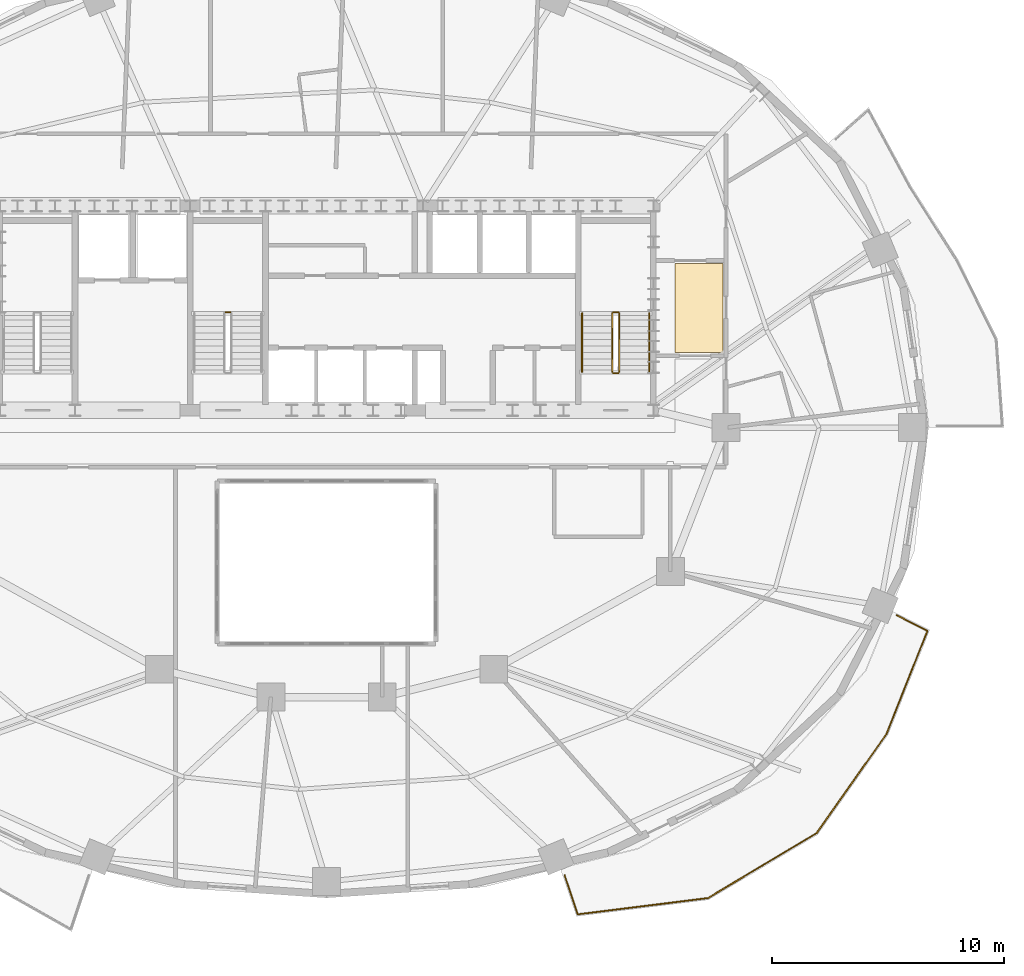
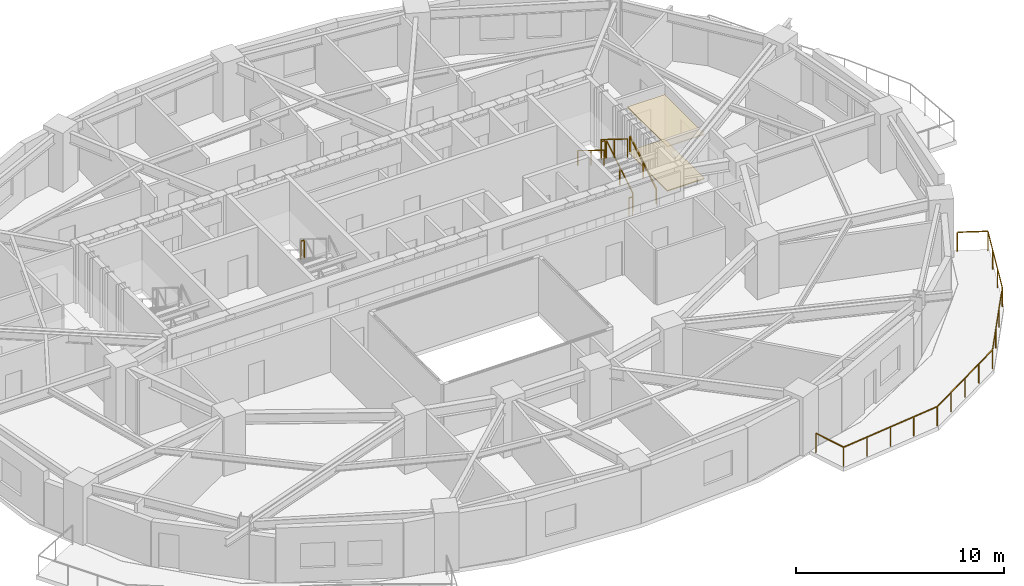
# One storey, part 12 of 13: 8 railings, 2 coverings.
"""IFC4 building model written with IfcOpenShell, lengths in metres."""

from ifc_helpers import new_model, si_unit, direction, frame, origin, origin_2d, place, context, subcontext, project, spatial, polyline, rectangle, outline, extrude, material, layer, layer_set, type_object, element, save


model = new_model("IFC4")

# Units and contexts
model_context = context("Model", 3, precision=1e-05, world=origin(), true_north=direction((0.0, 1.0)))
body_context = subcontext(model_context, "Body", "Model", "MODEL_VIEW")
ifc_project = project(units=[si_unit("LENGTHUNIT", "METRE"), si_unit("AREAUNIT", "SQUARE_METRE"), si_unit("VOLUMEUNIT", "CUBIC_METRE"), si_unit("PLANEANGLEUNIT", "RADIAN"), si_unit("MASSUNIT", "GRAM", prefix="KILO")], contexts=[model_context])

# Site, building, storey
site_placement = place(None, origin())
site = spatial("IfcSite", under=ifc_project, at=site_placement, CompositionType="ELEMENT")
building_placement = place(site_placement, origin())
building = spatial("IfcBuilding", under=site, at=building_placement, Name="Haldorwick Loom Tower", CompositionType="ELEMENT")
storey_placement = place(building_placement, frame((0.0, 0.0, 135.64990234375)))
storey = spatial("IfcBuildingStorey", under=building, at=storey_placement, Name="L36", CompositionType="ELEMENT", Elevation=135.64990234375)

# Coverings
ifc_material_1 = material(Name="Mineral Fibre Acoustic Ceiling Tile")
ifc_layer_1 = layer(ifc_material_1, 0.054931640625, Name="Mineral Fibre Acoustic Ceiling Tile")
ifc_layer_set_1 = layer_set([ifc_layer_1], Name="Mineral Fibre Acoustic Ceiling Tile")
covering_type_1 = type_object("IfcCoveringType", Name="ARC-COV-CEIL2", PredefinedType="CEILING", material=ifc_layer_set_1)
covering_1_placement = place(storey_placement, frame((0.0, 0.0, 2.59521484375)))
element("IfcCovering", 1, at=covering_1_placement, inside=storey, type_object=covering_type_1, Name="L36 Acoustic Suspended Ceiling 2", PredefinedType="CEILING", context=body_context, shape_type="SweptSolid", body=[
    extrude(outline(polyline([(51.0, 33.06005859375), (51.0, 29.239990234375), (53.06005859375, 29.239990234375), (53.06005859375, 33.06005859375), (51.0, 33.06005859375)])), origin(), (0.0, 0.0, 1.0), 0.054931640625),
])
ifc_material_2 = material(Name="Polished Aggregate Terrazzo Finish")
ifc_layer_2 = layer(ifc_material_2, 0.044921875, Name="Polished Aggregate Terrazzo Finish")
ifc_layer_set_2 = layer_set([ifc_layer_2], Name="Polished Aggregate Terrazzo Finish")
covering_type_2 = type_object("IfcCoveringType", Name="ARC-COV-FLOOR2", PredefinedType="FLOORING", material=ifc_layer_set_2)
covering_2_placement = place(storey_placement, origin())
element("IfcCovering", 2, at=covering_2_placement, inside=storey, type_object=covering_type_2, Name="L36 Floor Finish 2", PredefinedType="FLOORING", context=body_context, shape_type="SweptSolid", body=[
    extrude(outline(polyline([(51.0, 33.06005859375), (51.0, 29.239990234375), (53.06005859375, 29.239990234375), (53.06005859375, 33.06005859375), (51.0, 33.06005859375)])), origin(), (0.0, 0.0, 1.0), 0.045166015625),
])

# Railings
ifc_material_3 = material(Name="Galvanized Steel CSA G40.21 350W", Category="steel")
railing_type_1 = type_object("IfcRailingType", Name="ARC-RLG-BAL115", PredefinedType="BALUSTRADE", material=ifc_material_3)
railing_1_placement = place(storey_placement, frame((60.55419921875, 17.916748046875, 0.0)))
element("IfcRailing", 3, at=railing_1_placement, inside=storey, type_object=railing_type_1, Name="L36 Outdoor Terrace Guardrail SLB-L36-BAL_SE-1", PredefinedType="BALUSTRADE", context=body_context, shape_type="SweptSolid", body=[
    extrude(rectangle(XDim=0.048095703125, YDim=0.048095703125, at=origin_2d()), frame((0.0, 0.0, 1.1259765625), z_axis=(0.892261986487, -0.451518047778, 0.0), x_axis=(0.451518047778, 0.892261986487, 0.0)), (0.0, 0.0, 1.0), 1.472900390625),
    extrude(rectangle(XDim=0.048095703125, YDim=0.048095703125, at=origin_2d()), frame((1.314208984375, -0.6650390625, 1.1259765625), z_axis=(-0.368892536215, -0.929472052686, 0.0), x_axis=(0.929472052686, -0.368892536215, 0.0)), (0.0, 0.0, 1.0), 4.77099609375),
    extrude(rectangle(XDim=0.048095703125, YDim=0.048095703125, at=origin_2d()), frame((-0.44580078125, -5.099609375, 1.1259765625), z_axis=(-0.575818159114, -0.817577793017, 0.0), x_axis=(0.817577793017, -0.575818159114, 0.0)), (0.0, 0.0, 1.0), 5.23193359375),
    extrude(rectangle(XDim=0.048095703125, YDim=0.048095703125, at=origin_2d()), frame((-3.45849609375, -9.377197265625, 1.1259765625), z_axis=(-0.858668085407, -0.512532066415, 0.0), x_axis=(0.512532066415, -0.858668085407, 0.0)), (0.0, 0.0, 1.0), 5.4521484375),
    extrude(rectangle(XDim=0.048095703125, YDim=0.048095703125, at=origin_2d()), frame((-8.14013671875, -12.171630859375, 1.1259765625), z_axis=(-0.992333036754, -0.123592654179, 0.0), x_axis=(0.123592654179, -0.992333036754, 0.0)), (0.0, 0.0, 1.0), 5.6416015625),
    extrude(rectangle(XDim=0.048095703125, YDim=0.048095703125, at=origin_2d()), frame((-13.738525390625, -12.868896484375, 1.1259765625), z_axis=(-0.320886637071, 0.94711760946, 0.0), x_axis=(-0.94711760946, -0.320886637071, 0.0)), (0.0, 0.0, 1.0), 1.77490234375),
    extrude(rectangle(XDim=0.0419921875, YDim=0.0419921875, at=origin_2d()), origin(), (0.0, 0.0, 1.0), 1.101806640625),
    extrude(rectangle(XDim=0.0419921875, YDim=0.0419921875, at=origin_2d()), frame((1.314208984375, -0.6650390625, 0.0)), (0.0, 0.0, 1.0), 1.101806640625),
    extrude(rectangle(XDim=0.0419921875, YDim=0.0419921875, at=origin_2d()), frame((0.7275390625, -2.143310546875, 0.0)), (0.0, 0.0, 1.0), 1.101806640625),
    extrude(rectangle(XDim=0.0419921875, YDim=0.0419921875, at=origin_2d()), frame((0.140869140625, -3.621337890625, 0.0)), (0.0, 0.0, 1.0), 1.101806640625),
    extrude(rectangle(XDim=0.0419921875, YDim=0.0419921875, at=origin_2d()), frame((-0.44580078125, -5.099609375, 0.0)), (0.0, 0.0, 1.0), 1.101806640625),
    extrude(rectangle(XDim=0.0419921875, YDim=0.0419921875, at=origin_2d()), frame((-1.449951171875, -6.525390625, 0.0)), (0.0, 0.0, 1.0), 1.101806640625),
    extrude(rectangle(XDim=0.0419921875, YDim=0.0419921875, at=origin_2d()), frame((-2.454345703125, -7.951416015625, 0.0)), (0.0, 0.0, 1.0), 1.101806640625),
    extrude(rectangle(XDim=0.0419921875, YDim=0.0419921875, at=origin_2d()), frame((-3.45849609375, -9.377197265625, 0.0)), (0.0, 0.0, 1.0), 1.101806640625),
    extrude(rectangle(XDim=0.0419921875, YDim=0.0419921875, at=origin_2d()), frame((-4.62890625, -10.07568359375, 0.0)), (0.0, 0.0, 1.0), 1.101806640625),
    extrude(rectangle(XDim=0.0419921875, YDim=0.0419921875, at=origin_2d()), frame((-5.79931640625, -10.7744140625, 0.0)), (0.0, 0.0, 1.0), 1.101806640625),
    extrude(rectangle(XDim=0.0419921875, YDim=0.0419921875, at=origin_2d()), frame((-6.9697265625, -11.47314453125, 0.0)), (0.0, 0.0, 1.0), 1.101806640625),
    extrude(rectangle(XDim=0.0419921875, YDim=0.0419921875, at=origin_2d()), frame((-8.14013671875, -12.171630859375, 0.0)), (0.0, 0.0, 1.0), 1.101806640625),
    extrude(rectangle(XDim=0.0419921875, YDim=0.0419921875, at=origin_2d()), frame((-9.539794921875, -12.345947265625, 0.0)), (0.0, 0.0, 1.0), 1.101806640625),
    extrude(rectangle(XDim=0.0419921875, YDim=0.0419921875, at=origin_2d()), frame((-10.939453125, -12.520263671875, 0.0)), (0.0, 0.0, 1.0), 1.101806640625),
    extrude(rectangle(XDim=0.0419921875, YDim=0.0419921875, at=origin_2d()), frame((-12.3388671875, -12.694580078125, 0.0)), (0.0, 0.0, 1.0), 1.101806640625),
    extrude(rectangle(XDim=0.0419921875, YDim=0.0419921875, at=origin_2d()), frame((-13.738525390625, -12.868896484375, 0.0)), (0.0, 0.0, 1.0), 1.101806640625),
    extrude(rectangle(XDim=0.0419921875, YDim=0.0419921875, at=origin_2d()), frame((-14.30810546875, -11.187744140625, 0.0)), (0.0, 0.0, 1.0), 1.101806640625),
])
ifc_material_4 = material(Name="Steel CSA G40.21 350W", Category="steel")
railing_type_2 = type_object("IfcRailingType", Name="ARC-RLG-GUARD112", PredefinedType="GUARDRAIL", material=ifc_material_4)
railing_2_placement = place(storey_placement, frame((48.60009765625, 28.39990234375, 0.172607421875)))
element("IfcRailing", 4, at=railing_2_placement, inside=storey, type_object=railing_type_2, Name="L36 ST-02 stair guard 1", PredefinedType="GUARDRAIL", context=body_context, shape_type="SweptSolid", body=[
    extrude(rectangle(XDim=0.048095703125, YDim=0.048095703125, at=origin_2d()), frame((0.0, 0.0, 1.076171875), z_axis=(0.0, 0.851400495292, 0.524516154772), x_axis=(-1.0, 0.0, 0.0)), (0.0, 0.0, 1.0), 2.9599609375),
    extrude(rectangle(XDim=0.0419921875, YDim=0.0419921875, at=origin_2d()), origin(), (0.0, 0.0, 1.0), 1.052001953125),
    extrude(rectangle(XDim=0.0419921875, YDim=0.0419921875, at=origin_2d()), frame((0.0, 1.260009765625, 0.7763671875)), (0.0, 0.0, 1.0), 1.052001953125),
    extrude(rectangle(XDim=0.0419921875, YDim=0.0419921875, at=origin_2d()), frame((0.0, 2.52001953125, 1.552490234375)), (0.0, 0.0, 1.0), 1.052001953125),
])
railing_3_placement = place(storey_placement, frame((48.550048828125, 30.969970703125, 1.72509765625)))
element("IfcRailing", 5, at=railing_3_placement, inside=storey, type_object=railing_type_2, Name="L36 ST-02 stair guard 2", PredefinedType="GUARDRAIL", context=body_context, shape_type="SweptSolid", body=[
    extrude(rectangle(XDim=0.048095703125, YDim=0.048095703125, at=origin_2d()), frame((0.0, 0.0, 1.076171875), z_axis=(-1.0, 0.0, 0.0), x_axis=(0.0, -1.0, 0.0)), (0.0, 0.0, 1.0), 0.199951171875),
    extrude(rectangle(XDim=0.0419921875, YDim=0.0419921875, at=origin_2d()), origin(), (0.0, 0.0, 1.0), 1.052001953125),
    extrude(rectangle(XDim=0.0419921875, YDim=0.0419921875, at=origin_2d()), frame((-0.199951171875, 0.0, 0.0)), (0.0, 0.0, 1.0), 1.052001953125),
])
railing_4_placement = place(storey_placement, frame((48.300048828125, 30.919921875, 1.897705078125)))
element("IfcRailing", 6, at=railing_4_placement, inside=storey, type_object=railing_type_2, Name="L36 ST-02 stair guard 3", PredefinedType="GUARDRAIL", context=body_context, shape_type="SweptSolid", body=[
    extrude(rectangle(XDim=0.048095703125, YDim=0.048095703125, at=origin_2d()), frame((0.0, 0.0, 1.076171875), z_axis=(0.0, -0.851400495292, 0.524516154772), x_axis=(1.0, 0.0, 0.0)), (0.0, 0.0, 1.0), 2.9599609375),
    extrude(rectangle(XDim=0.0419921875, YDim=0.0419921875, at=origin_2d()), origin(), (0.0, 0.0, 1.0), 1.052001953125),
    extrude(rectangle(XDim=0.0419921875, YDim=0.0419921875, at=origin_2d()), frame((0.0, -1.260009765625, 0.7763671875)), (0.0, 0.0, 1.0), 1.052001953125),
    extrude(rectangle(XDim=0.0419921875, YDim=0.0419921875, at=origin_2d()), frame((0.0, -2.52001953125, 1.552490234375)), (0.0, 0.0, 1.0), 1.052001953125),
])
railing_5_placement = place(storey_placement, frame((48.550048828125, 28.35009765625, 0.0)))
element("IfcRailing", 7, at=railing_5_placement, inside=storey, type_object=railing_type_2, Name="L36 ST-02 stair guard 4", PredefinedType="GUARDRAIL", context=body_context, shape_type="SweptSolid", body=[
    extrude(rectangle(XDim=0.048095703125, YDim=0.048095703125, at=origin_2d()), frame((0.0, 0.0, 1.076171875), z_axis=(-1.0, 0.0, 0.0), x_axis=(0.0, -1.0, 0.0)), (0.0, 0.0, 1.0), 0.199951171875),
    extrude(rectangle(XDim=0.0419921875, YDim=0.0419921875, at=origin_2d()), origin(), (0.0, 0.0, 1.0), 1.052001953125),
    extrude(rectangle(XDim=0.0419921875, YDim=0.0419921875, at=origin_2d()), frame((-0.199951171875, 0.0, 0.0)), (0.0, 0.0, 1.0), 1.052001953125),
])
railing_6_placement = place(storey_placement, frame((31.85009765625, 30.969970703125, 1.72509765625)))
element("IfcRailing", 8, at=railing_6_placement, inside=storey, type_object=railing_type_2, Name="L36 ST-03 stair guard 2", PredefinedType="GUARDRAIL", context=body_context, shape_type="SweptSolid", body=[
    extrude(rectangle(XDim=0.048095703125, YDim=0.048095703125, at=origin_2d()), frame((0.0, 0.0, 1.076171875), z_axis=(-1.0, 0.0, 0.0), x_axis=(0.0, -1.0, 0.0)), (0.0, 0.0, 1.0), 0.2001953125),
    extrude(rectangle(XDim=0.0419921875, YDim=0.0419921875, at=origin_2d()), origin(), (0.0, 0.0, 1.0), 1.052001953125),
    extrude(rectangle(XDim=0.0419921875, YDim=0.0419921875, at=origin_2d()), frame((-0.2001953125, 0.0, 0.0)), (0.0, 0.0, 1.0), 1.052001953125),
])
railing_type_3 = type_object("IfcRailingType", Name="ARC-RLG-HAND092", PredefinedType="HANDRAIL", material=ifc_material_4)
railing_7_placement = place(storey_placement, frame((49.89990234375, 28.39990234375, 0.172607421875)))
element("IfcRailing", 9, at=railing_7_placement, inside=storey, type_object=railing_type_3, Name="L36 ST-02 stair handrail 1", PredefinedType="HANDRAIL", context=body_context, shape_type="SweptSolid", body=[
    extrude(rectangle(XDim=0.048095703125, YDim=0.048095703125, at=origin_2d()), frame((0.0, 0.0, 0.8759765625), z_axis=(0.0, 0.851400495292, 0.524516154772), x_axis=(-1.0, 0.0, 0.0)), (0.0, 0.0, 1.0), 2.9599609375),
    extrude(rectangle(XDim=0.0419921875, YDim=0.0419921875, at=origin_2d()), origin(), (0.0, 0.0, 1.0), 0.851806640625),
    extrude(rectangle(XDim=0.0419921875, YDim=0.0419921875, at=origin_2d()), frame((0.0, 1.260009765625, 0.7763671875)), (0.0, 0.0, 1.0), 0.851806640625),
    extrude(rectangle(XDim=0.0419921875, YDim=0.0419921875, at=origin_2d()), frame((0.0, 2.52001953125, 1.552490234375)), (0.0, 0.0, 1.0), 0.851806640625),
])
railing_8_placement = place(storey_placement, frame((47.0, 30.919921875, 1.897705078125)))
element("IfcRailing", 10, at=railing_8_placement, inside=storey, type_object=railing_type_3, Name="L36 ST-02 stair handrail 2", PredefinedType="HANDRAIL", context=body_context, shape_type="SweptSolid", body=[
    extrude(rectangle(XDim=0.048095703125, YDim=0.048095703125, at=origin_2d()), frame((0.0, 0.0, 0.8759765625), z_axis=(0.0, -0.851400495292, 0.524516154772), x_axis=(1.0, 0.0, 0.0)), (0.0, 0.0, 1.0), 2.9599609375),
    extrude(rectangle(XDim=0.0419921875, YDim=0.0419921875, at=origin_2d()), origin(), (0.0, 0.0, 1.0), 0.851806640625),
    extrude(rectangle(XDim=0.0419921875, YDim=0.0419921875, at=origin_2d()), frame((0.0, -1.260009765625, 0.7763671875)), (0.0, 0.0, 1.0), 0.851806640625),
    extrude(rectangle(XDim=0.0419921875, YDim=0.0419921875, at=origin_2d()), frame((0.0, -2.52001953125, 1.552490234375)), (0.0, 0.0, 1.0), 0.851806640625),
])

save(model, "model.ifc")
